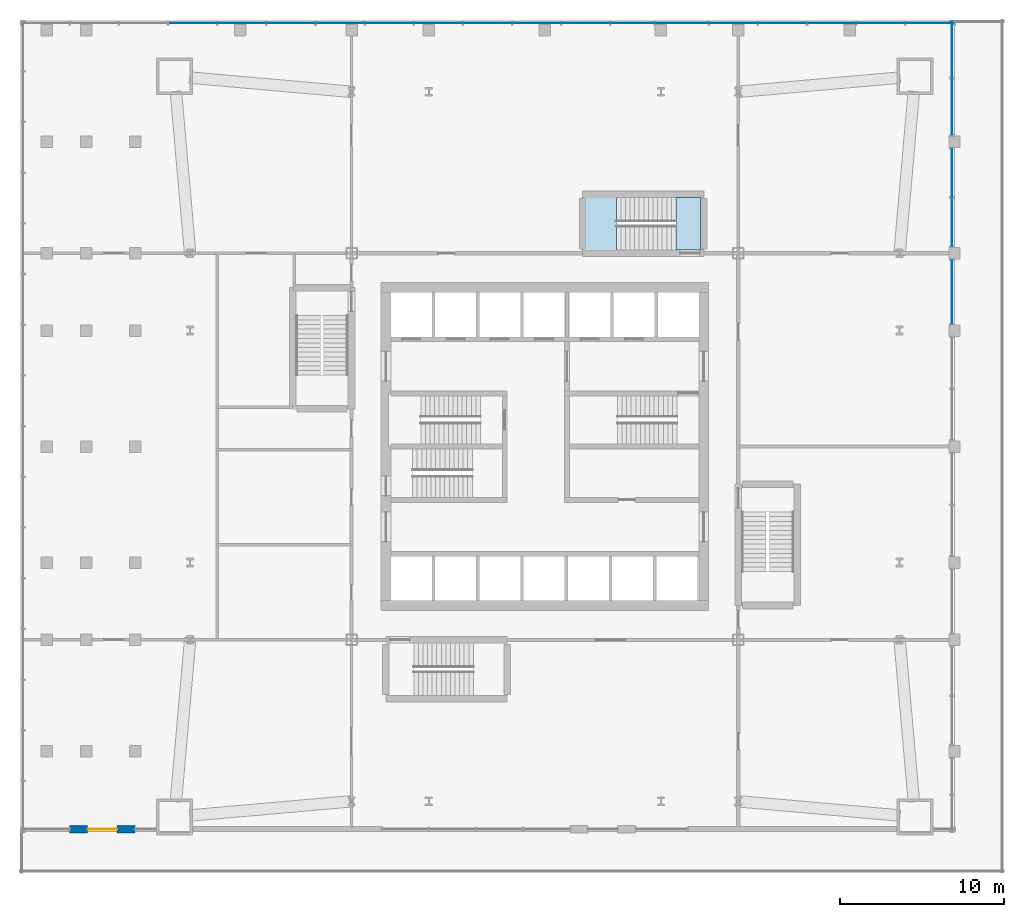
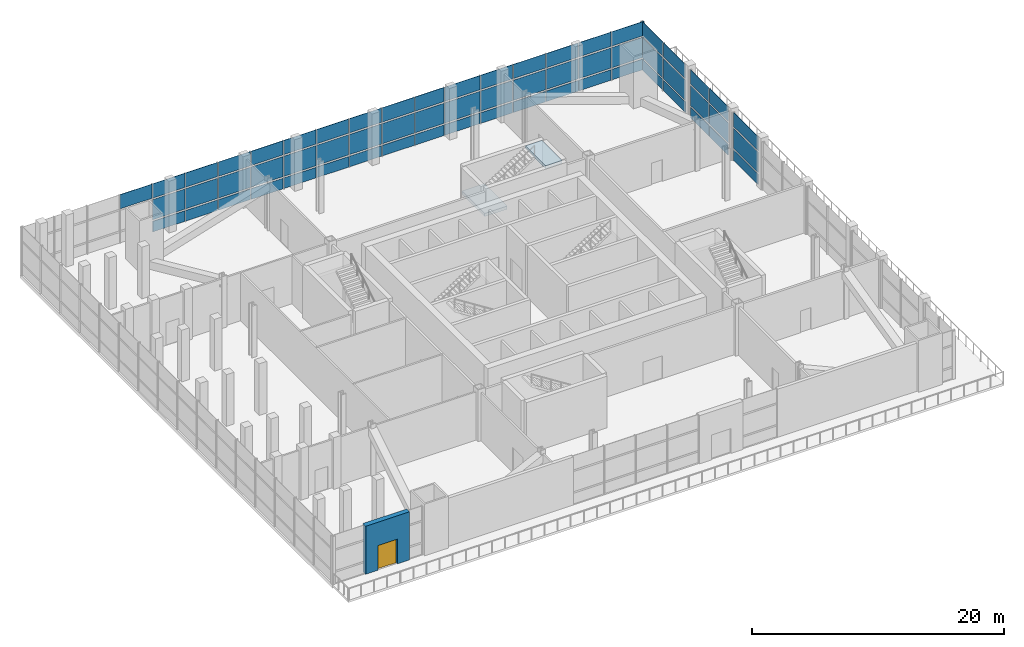
# One storey, part 8 of 12: 61 plates, 2 slabs, 1 door, 1 wall, 1 opening, 5 elements without a shape of their own.
"""IFC4 building model written with IfcOpenShell, lengths in metres."""

from ifc_helpers import new_model, si_unit, direction, frame, frame_2d, origin, origin_2d, place, context, subcontext, project, spatial, polyline, rectangle, outline, extrude, material, layer, layer_set, type_object, element, fill, aggregate, save


model = new_model("IFC4")

# Units and contexts
model_context = context("Model", 3, precision=1e-05, world=origin(), true_north=direction((0.0, 1.0)))
body_context = subcontext(model_context, "Body", "Model", "MODEL_VIEW")
ifc_project = project(units=[si_unit("LENGTHUNIT", "METRE"), si_unit("AREAUNIT", "SQUARE_METRE"), si_unit("VOLUMEUNIT", "CUBIC_METRE"), si_unit("PLANEANGLEUNIT", "RADIAN"), si_unit("MASSUNIT", "GRAM", prefix="KILO")], contexts=[model_context])

# Site, building, storey
site_placement = place(None, origin())
site = spatial("IfcSite", under=ifc_project, at=site_placement, CompositionType="ELEMENT")
building_placement = place(site_placement, origin())
building = spatial("IfcBuilding", under=site, at=building_placement, Name="Turquesa Mirador Hotel Tower", CompositionType="ELEMENT")
storey_placement = place(building_placement, frame((0.0, 0.0, 11.0)))
storey = spatial("IfcBuildingStorey", under=building, at=storey_placement, Name="L02", CompositionType="ELEMENT", Elevation=11.0)

# Curtain wall, plate
ifc_material_1 = material(Name="Aluminium extrusion", Category="aluminium")
curtain_wall_type = type_object("IfcCurtainWallType", Name="CW-2 PODIUM CURTAIN WALL", PredefinedType="USERDEFINED", material=ifc_material_1)
curtain_wall_1_placement = place(storey_placement, origin())
curtain_wall_1 = element("IfcCurtainWall", 1, at=curtain_wall_1_placement, inside=storey, type_object=curtain_wall_type, Name="CW-2 PODIUM CURTAIN WALL L02", ObjectType="CURTAIN WALL", PredefinedType="USERDEFINED")
ifc_material_2 = material(Name="Ceramic-printed spandrel glass on an insulated back pan", Category="glass")
ifc_layer_1 = layer(ifc_material_2, 0.050048828125)
ifc_layer_set_1 = layer_set([ifc_layer_1], Name="CW PANEL SPANDREL CERAMIC")
plate_type_1 = type_object("IfcPlateType", Name="CW PANEL SPANDREL CERAMIC", PredefinedType="CURTAIN_PANEL", material=ifc_layer_set_1)
plate_1_placement = place(storey_placement, frame((79.85009765625, 54.43994140625, 0.0), z_axis=(0.0, 0.0, 1.0), x_axis=(0.0, 1.0, 0.0)))
plate_1 = element("IfcPlate", 2, at=plate_1_placement, type_object=plate_type_1, Name="Panel", PredefinedType="CURTAIN_PANEL", context=body_context, shape_type="SweptSolid", body=[
    extrude(rectangle(XDim=3.885986328125, YDim=0.050048828125, at=origin_2d()), origin(), (0.0, 0.0, 1.0), 1.02490234375),
])

# Curtain wall, plates
curtain_wall_2_placement = place(storey_placement, origin())
curtain_wall_2 = element("IfcCurtainWall", 3, at=curtain_wall_2_placement, inside=storey, type_object=curtain_wall_type, Name="CW-2 PODIUM CURTAIN WALL L02", ObjectType="CURTAIN WALL", PredefinedType="USERDEFINED")
plate_2_placement = place(storey_placement, frame((79.85009765625, 58.692138671875, 0.0), z_axis=(0.0, 0.0, 1.0), x_axis=(0.0, 1.0, 0.0)))
plate_2 = element("IfcPlate", 4, at=plate_2_placement, type_object=plate_type_1, Name="Panel", PredefinedType="CURTAIN_PANEL", context=body_context, shape_type="SweptSolid", body=[
    extrude(rectangle(XDim=2.950439453125, YDim=0.050048828125, at=origin_2d()), origin(), (0.0, 0.0, 1.0), 1.02490234375),
])
plate_3_placement = place(storey_placement, frame((79.85009765625, 61.707763671875, 0.0), z_axis=(0.0, 0.0, 1.0), x_axis=(0.0, 1.0, 0.0)))
plate_3 = element("IfcPlate", 5, at=plate_3_placement, type_object=plate_type_1, Name="Panel", PredefinedType="CURTAIN_PANEL", context=body_context, shape_type="SweptSolid", body=[
    extrude(rectangle(XDim=2.950439453125, YDim=0.050048828125, at=origin_2d()), origin(), (0.0, 0.0, 1.0), 1.02490234375),
])

curtain_wall_3_placement = place(storey_placement, origin())
curtain_wall_3 = element("IfcCurtainWall", 6, at=curtain_wall_3_placement, inside=storey, type_object=curtain_wall_type, Name="CW-2 PODIUM CURTAIN WALL L02", ObjectType="CURTAIN WALL", PredefinedType="USERDEFINED")
plate_4_placement = place(storey_placement, frame((79.85009765625, 65.73828125, 0.0), z_axis=(0.0, 0.0, 1.0), x_axis=(0.0, 1.0, 0.0)))
plate_4 = element("IfcPlate", 7, at=plate_4_placement, type_object=plate_type_1, Name="Panel", PredefinedType="CURTAIN_PANEL", context=body_context, shape_type="SweptSolid", body=[
    extrude(rectangle(XDim=3.44287109375, YDim=0.050048828125, at=origin_2d()), origin(), (0.0, 0.0, 1.0), 1.02490234375),
])
plate_5_placement = place(storey_placement, frame((79.85009765625, 69.24609375, 0.0), z_axis=(0.0, 0.0, 1.0), x_axis=(0.0, 1.0, 0.0)))
plate_5 = element("IfcPlate", 8, at=plate_5_placement, type_object=plate_type_1, Name="Panel", PredefinedType="CURTAIN_PANEL", context=body_context, shape_type="SweptSolid", body=[
    extrude(rectangle(XDim=3.44287109375, YDim=0.050048828125, at=origin_2d()), origin(), (0.0, 0.0, 1.0), 1.02490234375),
])

curtain_wall_4_placement = place(storey_placement, origin())
curtain_wall_4 = element("IfcCurtainWall", 9, at=curtain_wall_4_placement, inside=storey, type_object=curtain_wall_type, Name="CW-2 PODIUM CURTAIN WALL L02", ObjectType="CURTAIN WALL", PredefinedType="USERDEFINED")
plate_6_placement = place(storey_placement, frame((78.5, 70.85009765625, 0.0), z_axis=(0.0, 0.0, 1.0), x_axis=(-1.0, 0.0, 0.0)))
plate_6 = element("IfcPlate", 10, at=plate_6_placement, type_object=plate_type_1, Name="Panel", PredefinedType="CURTAIN_PANEL", context=body_context, shape_type="SweptSolid", body=[
    extrude(rectangle(XDim=2.93505859375, YDim=0.050048828125, at=origin_2d()), origin(), (0.0, 0.0, 1.0), 1.02490234375),
])
plate_7_placement = place(storey_placement, frame((75.5, 70.85009765625, 0.0), z_axis=(0.0, 0.0, 1.0), x_axis=(-1.0, 0.0, 0.0)))
plate_7 = element("IfcPlate", 11, at=plate_7_placement, type_object=plate_type_1, Name="Panel", PredefinedType="CURTAIN_PANEL", context=body_context, shape_type="SweptSolid", body=[
    extrude(rectangle(XDim=2.93505859375, YDim=0.050048828125, at=origin_2d()), origin(), (0.0, 0.0, 1.0), 1.02490234375),
])
plate_8_placement = place(storey_placement, frame((72.5, 70.85009765625, 0.0), z_axis=(0.0, 0.0, 1.0), x_axis=(-1.0, 0.0, 0.0)))
plate_8 = element("IfcPlate", 12, at=plate_8_placement, type_object=plate_type_1, Name="Panel", PredefinedType="CURTAIN_PANEL", context=body_context, shape_type="SweptSolid", body=[
    extrude(rectangle(XDim=2.93505859375, YDim=0.050048828125, at=origin_2d()), origin(), (0.0, 0.0, 1.0), 1.02490234375),
])
plate_9_placement = place(storey_placement, frame((69.5, 70.85009765625, 0.0), z_axis=(0.0, 0.0, 1.0), x_axis=(-1.0, 0.0, 0.0)))
plate_9 = element("IfcPlate", 13, at=plate_9_placement, type_object=plate_type_1, Name="Panel", PredefinedType="CURTAIN_PANEL", context=body_context, shape_type="SweptSolid", body=[
    extrude(rectangle(XDim=2.93505859375, YDim=0.050048828125, at=origin_2d()), origin(), (0.0, 0.0, 1.0), 1.02490234375),
])
plate_10_placement = place(storey_placement, frame((66.5, 70.85009765625, 0.0), z_axis=(0.0, 0.0, 1.0), x_axis=(-1.0, 0.0, 0.0)))
plate_10 = element("IfcPlate", 14, at=plate_10_placement, type_object=plate_type_1, Name="Panel", PredefinedType="CURTAIN_PANEL", context=body_context, shape_type="SweptSolid", body=[
    extrude(rectangle(XDim=2.93505859375, YDim=0.050048828125, at=origin_2d()), origin(), (0.0, 0.0, 1.0), 1.02490234375),
])
plate_11_placement = place(storey_placement, frame((63.34765625, 70.85009765625, 0.0), z_axis=(0.0, 0.0, 1.0), x_axis=(-1.0, 0.0, 0.0)))
plate_11 = element("IfcPlate", 15, at=plate_11_placement, type_object=plate_type_1, Name="Panel", PredefinedType="CURTAIN_PANEL", context=body_context, shape_type="SweptSolid", body=[
    extrude(rectangle(XDim=3.239501953125, YDim=0.050048828125, at=origin_2d()), origin(), (0.0, 0.0, 1.0), 1.02490234375),
])
plate_12_placement = place(storey_placement, frame((60.34765625, 70.85009765625, 0.0), z_axis=(0.0, 0.0, 1.0), x_axis=(-1.0, 0.0, 0.0)))
plate_12 = element("IfcPlate", 16, at=plate_12_placement, type_object=plate_type_1, Name="Panel", PredefinedType="CURTAIN_PANEL", context=body_context, shape_type="SweptSolid", body=[
    extrude(rectangle(XDim=2.630615234375, YDim=0.050048828125, at=origin_2d()), origin(), (0.0, 0.0, 1.0), 1.02490234375),
])
plate_13_placement = place(storey_placement, frame((57.5, 70.85009765625, 0.0), z_axis=(0.0, 0.0, 1.0), x_axis=(-1.0, 0.0, 0.0)))
plate_13 = element("IfcPlate", 17, at=plate_13_placement, type_object=plate_type_1, Name="Panel", PredefinedType="CURTAIN_PANEL", context=body_context, shape_type="SweptSolid", body=[
    extrude(rectangle(XDim=2.93505859375, YDim=0.050048828125, at=origin_2d()), origin(), (0.0, 0.0, 1.0), 1.02490234375),
])
plate_14_placement = place(storey_placement, frame((54.5, 70.85009765625, 0.0), z_axis=(0.0, 0.0, 1.0), x_axis=(-1.0, 0.0, 0.0)))
plate_14 = element("IfcPlate", 18, at=plate_14_placement, type_object=plate_type_1, Name="Panel", PredefinedType="CURTAIN_PANEL", context=body_context, shape_type="SweptSolid", body=[
    extrude(rectangle(XDim=2.93505859375, YDim=0.050048828125, at=origin_2d()), origin(), (0.0, 0.0, 1.0), 1.02490234375),
])
plate_15_placement = place(storey_placement, frame((51.5, 70.85009765625, 0.0), z_axis=(0.0, 0.0, 1.0), x_axis=(-1.0, 0.0, 0.0)))
plate_15 = element("IfcPlate", 19, at=plate_15_placement, type_object=plate_type_1, Name="Panel", PredefinedType="CURTAIN_PANEL", context=body_context, shape_type="SweptSolid", body=[
    extrude(rectangle(XDim=2.93505859375, YDim=0.050048828125, at=origin_2d()), origin(), (0.0, 0.0, 1.0), 1.02490234375),
])
plate_16_placement = place(storey_placement, frame((48.5, 70.85009765625, 0.0), z_axis=(0.0, 0.0, 1.0), x_axis=(-1.0, 0.0, 0.0)))
plate_16 = element("IfcPlate", 20, at=plate_16_placement, type_object=plate_type_1, Name="Panel", PredefinedType="CURTAIN_PANEL", context=body_context, shape_type="SweptSolid", body=[
    extrude(rectangle(XDim=2.93505859375, YDim=0.050048828125, at=origin_2d()), origin(), (0.0, 0.0, 1.0), 1.02490234375),
])
plate_17_placement = place(storey_placement, frame((45.5, 70.85009765625, 0.0), z_axis=(0.0, 0.0, 1.0), x_axis=(-1.0, 0.0, 0.0)))
plate_17 = element("IfcPlate", 21, at=plate_17_placement, type_object=plate_type_1, Name="Panel", PredefinedType="CURTAIN_PANEL", context=body_context, shape_type="SweptSolid", body=[
    extrude(rectangle(XDim=2.93505859375, YDim=0.050048828125, at=origin_2d()), origin(), (0.0, 0.0, 1.0), 1.02490234375),
])
plate_18_placement = place(storey_placement, frame((42.5, 70.85009765625, 0.0), z_axis=(0.0, 0.0, 1.0), x_axis=(-1.0, 0.0, 0.0)))
plate_18 = element("IfcPlate", 22, at=plate_18_placement, type_object=plate_type_1, Name="Panel", PredefinedType="CURTAIN_PANEL", context=body_context, shape_type="SweptSolid", body=[
    extrude(rectangle(XDim=2.93505859375, YDim=0.050048828125, at=origin_2d()), origin(), (0.0, 0.0, 1.0), 1.02490234375),
])
plate_19_placement = place(storey_placement, frame((39.5, 70.85009765625, 0.0), z_axis=(0.0, 0.0, 1.0), x_axis=(-1.0, 0.0, 0.0)))
plate_19 = element("IfcPlate", 23, at=plate_19_placement, type_object=plate_type_1, Name="Panel", PredefinedType="CURTAIN_PANEL", context=body_context, shape_type="SweptSolid", body=[
    extrude(rectangle(XDim=2.93505859375, YDim=0.050048828125, at=origin_2d()), origin(), (0.0, 0.0, 1.0), 1.02490234375),
])
plate_20_placement = place(storey_placement, frame((36.5, 70.85009765625, 0.0), z_axis=(0.0, 0.0, 1.0), x_axis=(-1.0, 0.0, 0.0)))
plate_20 = element("IfcPlate", 24, at=plate_20_placement, type_object=plate_type_1, Name="Panel", PredefinedType="CURTAIN_PANEL", context=body_context, shape_type="SweptSolid", body=[
    extrude(rectangle(XDim=2.93505859375, YDim=0.050048828125, at=origin_2d()), origin(), (0.0, 0.0, 1.0), 1.02490234375),
])

# Plate
ifc_material_3 = material(Name="Ceramic-fritted laminated glass", Category="glass")
ifc_layer_2 = layer(ifc_material_3, 0.031982421875)
ifc_layer_set_2 = layer_set([ifc_layer_2], Name="CW PANEL VISION FRITTED")
plate_type_2 = type_object("IfcPlateType", Name="CW PANEL VISION FRITTED", PredefinedType="CURTAIN_PANEL", material=ifc_layer_set_2)
plate_21_placement = place(storey_placement, frame((79.85009765625, 54.43994140625, 1.1748046875), z_axis=(0.0, 0.0, 1.0), x_axis=(0.0, 1.0, 0.0)))
plate_21 = element("IfcPlate", 25, at=plate_21_placement, type_object=plate_type_2, Name="Panel", PredefinedType="CURTAIN_PANEL", context=body_context, shape_type="SweptSolid", body=[
    extrude(rectangle(XDim=3.885986328125, YDim=0.031982421875, at=origin_2d()), origin(), (0.0, 0.0, 1.0), 1.949951171875),
])

plate_22_placement = place(storey_placement, frame((79.85009765625, 54.43994140625, 3.27490234375), z_axis=(0.0, 0.0, 1.0), x_axis=(0.0, 1.0, 0.0)))
plate_22 = element("IfcPlate", 26, at=plate_22_placement, type_object=plate_type_2, Name="Panel", PredefinedType="CURTAIN_PANEL", context=body_context, shape_type="SweptSolid", body=[
    extrude(rectangle(XDim=3.885986328125, YDim=0.031982421875, at=origin_2d()), origin(), (0.0, 0.0, 1.0), 1.375),
])

aggregate(curtain_wall_1, [plate_1, plate_21, plate_22])

plate_23_placement = place(storey_placement, frame((79.85009765625, 58.692138671875, 1.1748046875), z_axis=(0.0, 0.0, 1.0), x_axis=(0.0, 1.0, 0.0)))
plate_23 = element("IfcPlate", 27, at=plate_23_placement, type_object=plate_type_2, Name="Panel", PredefinedType="CURTAIN_PANEL", context=body_context, shape_type="SweptSolid", body=[
    extrude(rectangle(XDim=2.950439453125, YDim=0.031982421875, at=origin_2d()), origin(), (0.0, 0.0, 1.0), 1.949951171875),
])

plate_24_placement = place(storey_placement, frame((79.85009765625, 58.692138671875, 3.27490234375), z_axis=(0.0, 0.0, 1.0), x_axis=(0.0, 1.0, 0.0)))
plate_24 = element("IfcPlate", 28, at=plate_24_placement, type_object=plate_type_2, Name="Panel", PredefinedType="CURTAIN_PANEL", context=body_context, shape_type="SweptSolid", body=[
    extrude(rectangle(XDim=2.950439453125, YDim=0.031982421875, at=origin_2d()), origin(), (0.0, 0.0, 1.0), 1.375),
])

plate_25_placement = place(storey_placement, frame((79.85009765625, 61.707763671875, 1.1748046875), z_axis=(0.0, 0.0, 1.0), x_axis=(0.0, 1.0, 0.0)))
plate_25 = element("IfcPlate", 29, at=plate_25_placement, type_object=plate_type_2, Name="Panel", PredefinedType="CURTAIN_PANEL", context=body_context, shape_type="SweptSolid", body=[
    extrude(rectangle(XDim=2.950439453125, YDim=0.031982421875, at=origin_2d()), origin(), (0.0, 0.0, 1.0), 1.949951171875),
])

plate_26_placement = place(storey_placement, frame((79.85009765625, 61.707763671875, 3.27490234375), z_axis=(0.0, 0.0, 1.0), x_axis=(0.0, 1.0, 0.0)))
plate_26 = element("IfcPlate", 30, at=plate_26_placement, type_object=plate_type_2, Name="Panel", PredefinedType="CURTAIN_PANEL", context=body_context, shape_type="SweptSolid", body=[
    extrude(rectangle(XDim=2.950439453125, YDim=0.031982421875, at=origin_2d()), origin(), (0.0, 0.0, 1.0), 1.375),
])

aggregate(curtain_wall_2, [plate_2, plate_23, plate_24, plate_3, plate_25, plate_26])

plate_27_placement = place(storey_placement, frame((79.85009765625, 65.73828125, 1.1748046875), z_axis=(0.0, 0.0, 1.0), x_axis=(0.0, 1.0, 0.0)))
plate_27 = element("IfcPlate", 31, at=plate_27_placement, type_object=plate_type_2, Name="Panel", PredefinedType="CURTAIN_PANEL", context=body_context, shape_type="SweptSolid", body=[
    extrude(rectangle(XDim=3.44287109375, YDim=0.031982421875, at=origin_2d()), origin(), (0.0, 0.0, 1.0), 1.949951171875),
])

plate_28_placement = place(storey_placement, frame((79.85009765625, 65.73828125, 3.27490234375), z_axis=(0.0, 0.0, 1.0), x_axis=(0.0, 1.0, 0.0)))
plate_28 = element("IfcPlate", 32, at=plate_28_placement, type_object=plate_type_2, Name="Panel", PredefinedType="CURTAIN_PANEL", context=body_context, shape_type="SweptSolid", body=[
    extrude(rectangle(XDim=3.44287109375, YDim=0.031982421875, at=origin_2d()), origin(), (0.0, 0.0, 1.0), 1.375),
])

plate_29_placement = place(storey_placement, frame((79.85009765625, 69.24609375, 1.1748046875), z_axis=(0.0, 0.0, 1.0), x_axis=(0.0, 1.0, 0.0)))
plate_29 = element("IfcPlate", 33, at=plate_29_placement, type_object=plate_type_2, Name="Panel", PredefinedType="CURTAIN_PANEL", context=body_context, shape_type="SweptSolid", body=[
    extrude(rectangle(XDim=3.44287109375, YDim=0.031982421875, at=origin_2d()), origin(), (0.0, 0.0, 1.0), 1.949951171875),
])

plate_30_placement = place(storey_placement, frame((79.85009765625, 69.24609375, 3.27490234375), z_axis=(0.0, 0.0, 1.0), x_axis=(0.0, 1.0, 0.0)))
plate_30 = element("IfcPlate", 34, at=plate_30_placement, type_object=plate_type_2, Name="Panel", PredefinedType="CURTAIN_PANEL", context=body_context, shape_type="SweptSolid", body=[
    extrude(rectangle(XDim=3.44287109375, YDim=0.031982421875, at=origin_2d()), origin(), (0.0, 0.0, 1.0), 1.375),
])

aggregate(curtain_wall_3, [plate_4, plate_27, plate_28, plate_5, plate_29, plate_30])

plate_31_placement = place(storey_placement, frame((78.5, 70.85009765625, 1.1748046875), z_axis=(0.0, 0.0, 1.0), x_axis=(-1.0, 0.0, 0.0)))
plate_31 = element("IfcPlate", 35, at=plate_31_placement, type_object=plate_type_2, Name="Panel", PredefinedType="CURTAIN_PANEL", context=body_context, shape_type="SweptSolid", body=[
    extrude(rectangle(XDim=2.93505859375, YDim=0.031982421875, at=origin_2d()), origin(), (0.0, 0.0, 1.0), 1.949951171875),
])

plate_32_placement = place(storey_placement, frame((78.5, 70.85009765625, 3.27490234375), z_axis=(0.0, 0.0, 1.0), x_axis=(-1.0, 0.0, 0.0)))
plate_32 = element("IfcPlate", 36, at=plate_32_placement, type_object=plate_type_2, Name="Panel", PredefinedType="CURTAIN_PANEL", context=body_context, shape_type="SweptSolid", body=[
    extrude(rectangle(XDim=2.93505859375, YDim=0.031982421875, at=origin_2d()), origin(), (0.0, 0.0, 1.0), 1.375),
])

plate_33_placement = place(storey_placement, frame((75.5, 70.85009765625, 1.1748046875), z_axis=(0.0, 0.0, 1.0), x_axis=(-1.0, 0.0, 0.0)))
plate_33 = element("IfcPlate", 37, at=plate_33_placement, type_object=plate_type_2, Name="Panel", PredefinedType="CURTAIN_PANEL", context=body_context, shape_type="SweptSolid", body=[
    extrude(rectangle(XDim=2.93505859375, YDim=0.031982421875, at=origin_2d()), origin(), (0.0, 0.0, 1.0), 1.949951171875),
])

plate_34_placement = place(storey_placement, frame((75.5, 70.85009765625, 3.27490234375), z_axis=(0.0, 0.0, 1.0), x_axis=(-1.0, 0.0, 0.0)))
plate_34 = element("IfcPlate", 38, at=plate_34_placement, type_object=plate_type_2, Name="Panel", PredefinedType="CURTAIN_PANEL", context=body_context, shape_type="SweptSolid", body=[
    extrude(rectangle(XDim=2.93505859375, YDim=0.031982421875, at=origin_2d()), origin(), (0.0, 0.0, 1.0), 1.375),
])

plate_35_placement = place(storey_placement, frame((72.5, 70.85009765625, 1.1748046875), z_axis=(0.0, 0.0, 1.0), x_axis=(-1.0, 0.0, 0.0)))
plate_35 = element("IfcPlate", 39, at=plate_35_placement, type_object=plate_type_2, Name="Panel", PredefinedType="CURTAIN_PANEL", context=body_context, shape_type="SweptSolid", body=[
    extrude(rectangle(XDim=2.93505859375, YDim=0.031982421875, at=origin_2d()), origin(), (0.0, 0.0, 1.0), 1.949951171875),
])

plate_36_placement = place(storey_placement, frame((72.5, 70.85009765625, 3.27490234375), z_axis=(0.0, 0.0, 1.0), x_axis=(-1.0, 0.0, 0.0)))
plate_36 = element("IfcPlate", 40, at=plate_36_placement, type_object=plate_type_2, Name="Panel", PredefinedType="CURTAIN_PANEL", context=body_context, shape_type="SweptSolid", body=[
    extrude(rectangle(XDim=2.93505859375, YDim=0.031982421875, at=origin_2d()), origin(), (0.0, 0.0, 1.0), 1.375),
])

plate_37_placement = place(storey_placement, frame((69.5, 70.85009765625, 1.1748046875), z_axis=(0.0, 0.0, 1.0), x_axis=(-1.0, 0.0, 0.0)))
plate_37 = element("IfcPlate", 41, at=plate_37_placement, type_object=plate_type_2, Name="Panel", PredefinedType="CURTAIN_PANEL", context=body_context, shape_type="SweptSolid", body=[
    extrude(rectangle(XDim=2.93505859375, YDim=0.031982421875, at=origin_2d()), origin(), (0.0, 0.0, 1.0), 1.949951171875),
])

plate_38_placement = place(storey_placement, frame((69.5, 70.85009765625, 3.27490234375), z_axis=(0.0, 0.0, 1.0), x_axis=(-1.0, 0.0, 0.0)))
plate_38 = element("IfcPlate", 42, at=plate_38_placement, type_object=plate_type_2, Name="Panel", PredefinedType="CURTAIN_PANEL", context=body_context, shape_type="SweptSolid", body=[
    extrude(rectangle(XDim=2.93505859375, YDim=0.031982421875, at=origin_2d()), origin(), (0.0, 0.0, 1.0), 1.375),
])

plate_39_placement = place(storey_placement, frame((66.5, 70.85009765625, 1.1748046875), z_axis=(0.0, 0.0, 1.0), x_axis=(-1.0, 0.0, 0.0)))
plate_39 = element("IfcPlate", 43, at=plate_39_placement, type_object=plate_type_2, Name="Panel", PredefinedType="CURTAIN_PANEL", context=body_context, shape_type="SweptSolid", body=[
    extrude(rectangle(XDim=2.93505859375, YDim=0.031982421875, at=origin_2d()), origin(), (0.0, 0.0, 1.0), 1.949951171875),
])

plate_40_placement = place(storey_placement, frame((66.5, 70.85009765625, 3.27490234375), z_axis=(0.0, 0.0, 1.0), x_axis=(-1.0, 0.0, 0.0)))
plate_40 = element("IfcPlate", 44, at=plate_40_placement, type_object=plate_type_2, Name="Panel", PredefinedType="CURTAIN_PANEL", context=body_context, shape_type="SweptSolid", body=[
    extrude(rectangle(XDim=2.93505859375, YDim=0.031982421875, at=origin_2d()), origin(), (0.0, 0.0, 1.0), 1.375),
])

plate_41_placement = place(storey_placement, frame((63.34765625, 70.85009765625, 1.1748046875), z_axis=(0.0, 0.0, 1.0), x_axis=(-1.0, 0.0, 0.0)))
plate_41 = element("IfcPlate", 45, at=plate_41_placement, type_object=plate_type_2, Name="Panel", PredefinedType="CURTAIN_PANEL", context=body_context, shape_type="SweptSolid", body=[
    extrude(rectangle(XDim=3.239501953125, YDim=0.031982421875, at=origin_2d()), origin(), (0.0, 0.0, 1.0), 1.949951171875),
])

plate_42_placement = place(storey_placement, frame((63.34765625, 70.85009765625, 3.27490234375), z_axis=(0.0, 0.0, 1.0), x_axis=(-1.0, 0.0, 0.0)))
plate_42 = element("IfcPlate", 46, at=plate_42_placement, type_object=plate_type_2, Name="Panel", PredefinedType="CURTAIN_PANEL", context=body_context, shape_type="SweptSolid", body=[
    extrude(rectangle(XDim=3.239501953125, YDim=0.031982421875, at=origin_2d()), origin(), (0.0, 0.0, 1.0), 1.375),
])

plate_43_placement = place(storey_placement, frame((60.34765625, 70.85009765625, 1.1748046875), z_axis=(0.0, 0.0, 1.0), x_axis=(-1.0, 0.0, 0.0)))
plate_43 = element("IfcPlate", 47, at=plate_43_placement, type_object=plate_type_2, Name="Panel", PredefinedType="CURTAIN_PANEL", context=body_context, shape_type="SweptSolid", body=[
    extrude(rectangle(XDim=2.630615234375, YDim=0.031982421875, at=origin_2d()), origin(), (0.0, 0.0, 1.0), 1.949951171875),
])

plate_44_placement = place(storey_placement, frame((60.34765625, 70.85009765625, 3.27490234375), z_axis=(0.0, 0.0, 1.0), x_axis=(-1.0, 0.0, 0.0)))
plate_44 = element("IfcPlate", 48, at=plate_44_placement, type_object=plate_type_2, Name="Panel", PredefinedType="CURTAIN_PANEL", context=body_context, shape_type="SweptSolid", body=[
    extrude(rectangle(XDim=2.630615234375, YDim=0.031982421875, at=origin_2d()), origin(), (0.0, 0.0, 1.0), 1.375),
])

plate_45_placement = place(storey_placement, frame((57.5, 70.85009765625, 1.1748046875), z_axis=(0.0, 0.0, 1.0), x_axis=(-1.0, 0.0, 0.0)))
plate_45 = element("IfcPlate", 49, at=plate_45_placement, type_object=plate_type_2, Name="Panel", PredefinedType="CURTAIN_PANEL", context=body_context, shape_type="SweptSolid", body=[
    extrude(rectangle(XDim=2.93505859375, YDim=0.031982421875, at=origin_2d()), origin(), (0.0, 0.0, 1.0), 1.949951171875),
])

plate_46_placement = place(storey_placement, frame((57.5, 70.85009765625, 3.27490234375), z_axis=(0.0, 0.0, 1.0), x_axis=(-1.0, 0.0, 0.0)))
plate_46 = element("IfcPlate", 50, at=plate_46_placement, type_object=plate_type_2, Name="Panel", PredefinedType="CURTAIN_PANEL", context=body_context, shape_type="SweptSolid", body=[
    extrude(rectangle(XDim=2.93505859375, YDim=0.031982421875, at=origin_2d()), origin(), (0.0, 0.0, 1.0), 1.375),
])

plate_47_placement = place(storey_placement, frame((54.5, 70.85009765625, 1.1748046875), z_axis=(0.0, 0.0, 1.0), x_axis=(-1.0, 0.0, 0.0)))
plate_47 = element("IfcPlate", 51, at=plate_47_placement, type_object=plate_type_2, Name="Panel", PredefinedType="CURTAIN_PANEL", context=body_context, shape_type="SweptSolid", body=[
    extrude(rectangle(XDim=2.93505859375, YDim=0.031982421875, at=origin_2d()), origin(), (0.0, 0.0, 1.0), 1.949951171875),
])

plate_48_placement = place(storey_placement, frame((54.5, 70.85009765625, 3.27490234375), z_axis=(0.0, 0.0, 1.0), x_axis=(-1.0, 0.0, 0.0)))
plate_48 = element("IfcPlate", 52, at=plate_48_placement, type_object=plate_type_2, Name="Panel", PredefinedType="CURTAIN_PANEL", context=body_context, shape_type="SweptSolid", body=[
    extrude(rectangle(XDim=2.93505859375, YDim=0.031982421875, at=origin_2d()), origin(), (0.0, 0.0, 1.0), 1.375),
])

plate_49_placement = place(storey_placement, frame((51.5, 70.85009765625, 1.1748046875), z_axis=(0.0, 0.0, 1.0), x_axis=(-1.0, 0.0, 0.0)))
plate_49 = element("IfcPlate", 53, at=plate_49_placement, type_object=plate_type_2, Name="Panel", PredefinedType="CURTAIN_PANEL", context=body_context, shape_type="SweptSolid", body=[
    extrude(rectangle(XDim=2.93505859375, YDim=0.031982421875, at=origin_2d()), origin(), (0.0, 0.0, 1.0), 1.949951171875),
])

plate_50_placement = place(storey_placement, frame((51.5, 70.85009765625, 3.27490234375), z_axis=(0.0, 0.0, 1.0), x_axis=(-1.0, 0.0, 0.0)))
plate_50 = element("IfcPlate", 54, at=plate_50_placement, type_object=plate_type_2, Name="Panel", PredefinedType="CURTAIN_PANEL", context=body_context, shape_type="SweptSolid", body=[
    extrude(rectangle(XDim=2.93505859375, YDim=0.031982421875, at=origin_2d()), origin(), (0.0, 0.0, 1.0), 1.375),
])

plate_51_placement = place(storey_placement, frame((48.5, 70.85009765625, 1.1748046875), z_axis=(0.0, 0.0, 1.0), x_axis=(-1.0, 0.0, 0.0)))
plate_51 = element("IfcPlate", 55, at=plate_51_placement, type_object=plate_type_2, Name="Panel", PredefinedType="CURTAIN_PANEL", context=body_context, shape_type="SweptSolid", body=[
    extrude(rectangle(XDim=2.93505859375, YDim=0.031982421875, at=origin_2d()), origin(), (0.0, 0.0, 1.0), 1.949951171875),
])

plate_52_placement = place(storey_placement, frame((48.5, 70.85009765625, 3.27490234375), z_axis=(0.0, 0.0, 1.0), x_axis=(-1.0, 0.0, 0.0)))
plate_52 = element("IfcPlate", 56, at=plate_52_placement, type_object=plate_type_2, Name="Panel", PredefinedType="CURTAIN_PANEL", context=body_context, shape_type="SweptSolid", body=[
    extrude(rectangle(XDim=2.93505859375, YDim=0.031982421875, at=origin_2d()), origin(), (0.0, 0.0, 1.0), 1.375),
])

plate_53_placement = place(storey_placement, frame((45.5, 70.85009765625, 1.1748046875), z_axis=(0.0, 0.0, 1.0), x_axis=(-1.0, 0.0, 0.0)))
plate_53 = element("IfcPlate", 57, at=plate_53_placement, type_object=plate_type_2, Name="Panel", PredefinedType="CURTAIN_PANEL", context=body_context, shape_type="SweptSolid", body=[
    extrude(rectangle(XDim=2.93505859375, YDim=0.031982421875, at=origin_2d()), origin(), (0.0, 0.0, 1.0), 1.949951171875),
])

plate_54_placement = place(storey_placement, frame((45.5, 70.85009765625, 3.27490234375), z_axis=(0.0, 0.0, 1.0), x_axis=(-1.0, 0.0, 0.0)))
plate_54 = element("IfcPlate", 58, at=plate_54_placement, type_object=plate_type_2, Name="Panel", PredefinedType="CURTAIN_PANEL", context=body_context, shape_type="SweptSolid", body=[
    extrude(rectangle(XDim=2.93505859375, YDim=0.031982421875, at=origin_2d()), origin(), (0.0, 0.0, 1.0), 1.375),
])

plate_55_placement = place(storey_placement, frame((42.5, 70.85009765625, 1.1748046875), z_axis=(0.0, 0.0, 1.0), x_axis=(-1.0, 0.0, 0.0)))
plate_55 = element("IfcPlate", 59, at=plate_55_placement, type_object=plate_type_2, Name="Panel", PredefinedType="CURTAIN_PANEL", context=body_context, shape_type="SweptSolid", body=[
    extrude(rectangle(XDim=2.93505859375, YDim=0.031982421875, at=origin_2d()), origin(), (0.0, 0.0, 1.0), 1.949951171875),
])

plate_56_placement = place(storey_placement, frame((42.5, 70.85009765625, 3.27490234375), z_axis=(0.0, 0.0, 1.0), x_axis=(-1.0, 0.0, 0.0)))
plate_56 = element("IfcPlate", 60, at=plate_56_placement, type_object=plate_type_2, Name="Panel", PredefinedType="CURTAIN_PANEL", context=body_context, shape_type="SweptSolid", body=[
    extrude(rectangle(XDim=2.93505859375, YDim=0.031982421875, at=origin_2d()), origin(), (0.0, 0.0, 1.0), 1.375),
])

plate_57_placement = place(storey_placement, frame((39.5, 70.85009765625, 1.1748046875), z_axis=(0.0, 0.0, 1.0), x_axis=(-1.0, 0.0, 0.0)))
plate_57 = element("IfcPlate", 61, at=plate_57_placement, type_object=plate_type_2, Name="Panel", PredefinedType="CURTAIN_PANEL", context=body_context, shape_type="SweptSolid", body=[
    extrude(rectangle(XDim=2.93505859375, YDim=0.031982421875, at=origin_2d()), origin(), (0.0, 0.0, 1.0), 1.949951171875),
])

plate_58_placement = place(storey_placement, frame((39.5, 70.85009765625, 3.27490234375), z_axis=(0.0, 0.0, 1.0), x_axis=(-1.0, 0.0, 0.0)))
plate_58 = element("IfcPlate", 62, at=plate_58_placement, type_object=plate_type_2, Name="Panel", PredefinedType="CURTAIN_PANEL", context=body_context, shape_type="SweptSolid", body=[
    extrude(rectangle(XDim=2.93505859375, YDim=0.031982421875, at=origin_2d()), origin(), (0.0, 0.0, 1.0), 1.375),
])

plate_59_placement = place(storey_placement, frame((36.5, 70.85009765625, 1.1748046875), z_axis=(0.0, 0.0, 1.0), x_axis=(-1.0, 0.0, 0.0)))
plate_59 = element("IfcPlate", 63, at=plate_59_placement, type_object=plate_type_2, Name="Panel", PredefinedType="CURTAIN_PANEL", context=body_context, shape_type="SweptSolid", body=[
    extrude(rectangle(XDim=2.93505859375, YDim=0.031982421875, at=origin_2d()), origin(), (0.0, 0.0, 1.0), 1.949951171875),
])

plate_60_placement = place(storey_placement, frame((36.5, 70.85009765625, 3.27490234375), z_axis=(0.0, 0.0, 1.0), x_axis=(-1.0, 0.0, 0.0)))
plate_60 = element("IfcPlate", 64, at=plate_60_placement, type_object=plate_type_2, Name="Panel", PredefinedType="CURTAIN_PANEL", context=body_context, shape_type="SweptSolid", body=[
    extrude(rectangle(XDim=2.93505859375, YDim=0.031982421875, at=origin_2d()), origin(), (0.0, 0.0, 1.0), 1.375),
])

plate_61_placement = place(storey_placement, frame((33.5, 70.85009765625, 3.27490234375), z_axis=(0.0, 0.0, 1.0), x_axis=(-1.0, 0.0, 0.0)))
plate_61 = element("IfcPlate", 65, at=plate_61_placement, type_object=plate_type_2, Name="Panel", PredefinedType="CURTAIN_PANEL", context=body_context, shape_type="SweptSolid", body=[
    extrude(rectangle(XDim=2.93505859375, YDim=0.031982421875, at=origin_2d()), origin(), (0.0, 0.0, 1.0), 1.375),
])

aggregate(curtain_wall_4, [plate_6, plate_31, plate_32, plate_7, plate_33, plate_34, plate_8, plate_35, plate_36, plate_9, plate_37, plate_38, plate_10, plate_39, plate_40, plate_11, plate_41, plate_42, plate_12, plate_43, plate_44, plate_13, plate_45, plate_46, plate_14, plate_47, plate_48, plate_15, plate_49, plate_50, plate_16, plate_51, plate_52, plate_17, plate_53, plate_54, plate_18, plate_55, plate_56, plate_19, plate_57, plate_58, plate_20, plate_59, plate_60, plate_61])

# Stair, slabs
ifc_material_4 = material(Name="Concrete C35/45", Category="concrete")
stair_type = type_object("IfcStairType", Name="ESCAPE STAIR PODIUM", PredefinedType="HALF_TURN_STAIR", material=ifc_material_4)
stair_placement = place(storey_placement, origin())
stair = element("IfcStair", 66, at=stair_placement, inside=storey, type_object=stair_type, Name="Stair PS1 L02 to L03", PredefinedType="HALF_TURN_STAIR")
ifc_material_5 = material(Name="Concrete C35/45", Category="concrete")
ifc_layer_3 = layer(ifc_material_5, 0.300048828125)
ifc_layer_set_3 = layer_set([ifc_layer_3], Name="STAIR LANDING 300")
slab_type = type_object("IfcSlabType", Name="STAIR LANDING 300", PredefinedType="LANDING", material=ifc_layer_set_3)
slab_1_placement = place(storey_placement, frame((0.0, 0.0, 2.199951171875)))
slab_1 = element("IfcSlab", 67, at=slab_1_placement, type_object=slab_type, Name="PS1 landing 1", PredefinedType="LANDING", context=body_context, shape_type="SweptSolid", body=[
    extrude(outline(polyline([(57.300048828125, 56.800048828125), (59.360107421875, 56.800048828125), (59.360107421875, 60.39990234375), (57.300048828125, 60.39990234375), (57.300048828125, 56.800048828125)])), origin(), (0.0, 0.0, 1.0), 0.300048828125),
])
slab_2_placement = place(storey_placement, frame((0.0, 0.0, 4.699951171875)))
slab_2 = element("IfcSlab", 68, at=slab_2_placement, type_object=slab_type, Name="PS1 landing 2", PredefinedType="LANDING", context=body_context, shape_type="SweptSolid", body=[
    extrude(outline(polyline([(63.0, 57.0), (64.5, 57.0), (64.5, 60.199951171875), (63.0, 60.199951171875), (63.0, 57.0)])), origin(), (0.0, 0.0, 1.0), 0.300048828125),
])
aggregate(stair, [slab_1, slab_2])

# Wall, opening, door
ifc_material_6 = material(Name="Limestone cladding on concrete block", Category="masonry")
ifc_layer_4 = layer(ifc_material_6, 0.449951171875)
ifc_layer_set_4 = layer_set([ifc_layer_4], Name="PORTAL WALL 450 STONE")
wall_type = type_object("IfcWallType", Name="PORTAL WALL 450 STONE", PredefinedType="SOLIDWALL", material=ifc_layer_set_4)
wall_placement = place(storey_placement, frame((26.0, 21.64990234375, 0.0), z_axis=(0.0, 0.0, 1.0), x_axis=(1.0, 0.0, 0.0)))
wall = element("IfcWall", 69, at=wall_placement, inside=storey, type_object=wall_type, Name="Entrance portal L02", PredefinedType="SOLIDWALL", context=body_context, shape_type="SweptSolid", body=[
    extrude(rectangle(XDim=4.0, YDim=0.449951171875, at=frame_2d((2.0, 0.0))), origin(), (0.0, 0.0, 1.0), 4.64990234375),
])
opening_placement = place(wall_placement, frame((1.10009765625, 0.0, 0.0)))
opening = element("IfcOpeningElement", 70, at=opening_placement, cuts=wall, Name="Opening D10", PredefinedType="OPENING", context=body_context, shape_type="SweptSolid", body=[
    extrude(rectangle(XDim=1.800048828125, YDim=2.39990234375, at=frame_2d((0.89990234375, 1.199951171875))), frame((0.0, 0.23486328125, 0.0), z_axis=(0.0, -1.0, 0.0), x_axis=(1.0, 0.0, 0.0)), (0.0, 0.0, 1.0), 0.469970703125),
])
ifc_material_7 = material(Name="Aluminium glazed sliding door", Category="aluminium")
door_type = type_object("IfcDoorType", Name="TERRACE DOOR 1800X2400 GLAZED", OperationType="SLIDING_TO_LEFT", PredefinedType="DOOR", material=ifc_material_7)
door_placement = place(opening_placement, origin())
door = element("IfcDoor", 71, at=door_placement, inside=storey, type_object=door_type, Name="External door L02 S", OperationType="SLIDING_TO_LEFT", OverallHeight=2.39990234375, OverallWidth=1.800048828125, PredefinedType="DOOR", context=body_context, shape_type="SweptSolid", body=[
    extrude(rectangle(XDim=1.800048828125, YDim=2.39990234375, at=frame_2d((0.89990234375, 1.199951171875))), frame((0.0, 0.02490234375, 0.0), z_axis=(0.0, -1.0, 0.0), x_axis=(1.0, 0.0, 0.0)), (0.0, 0.0, 1.0), 0.050048828125),
])
fill(opening, door)

save(model, "model.ifc")
